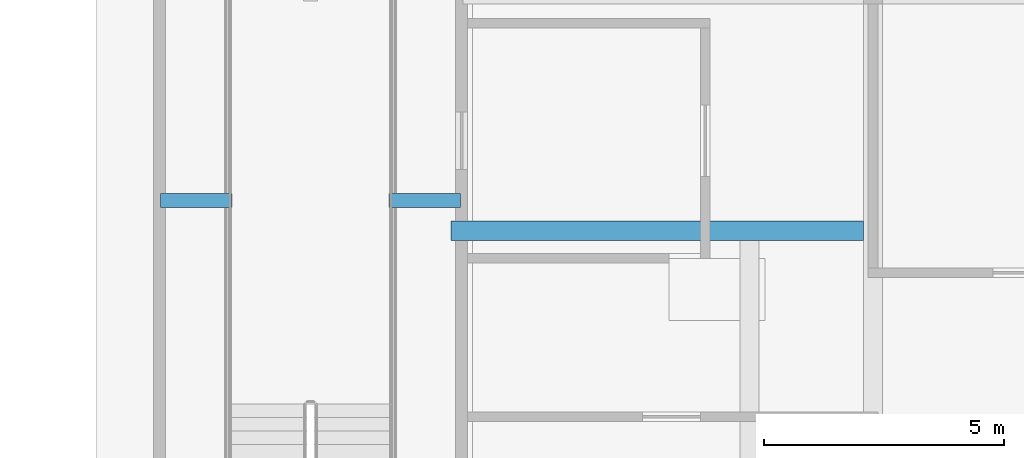
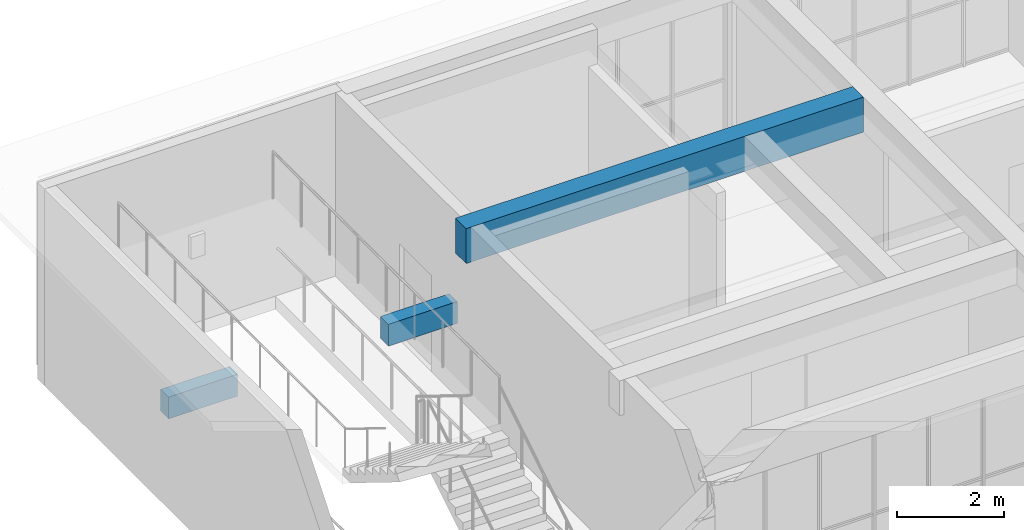
# One storey, part 9 of 92: 3 beams.
"""IFC4 building model written with IfcOpenShell, lengths in metres."""

from ifc_helpers import new_model, si_unit, direction, frame, origin, origin_2d, place, context, subcontext, project, spatial, rectangle, extrude, material, material_profile, profile_set, type_object, element, save


model = new_model("IFC4")

# Units and contexts
model_context = context("Model", 3, precision=1e-05, world=origin(), true_north=direction((0.0, 1.0)))
body_context = subcontext(model_context, "Body", "Model", "MODEL_VIEW")
ifc_project = project(units=[si_unit("LENGTHUNIT", "METRE"), si_unit("AREAUNIT", "SQUARE_METRE"), si_unit("VOLUMEUNIT", "CUBIC_METRE"), si_unit("PLANEANGLEUNIT", "RADIAN"), si_unit("MASSUNIT", "GRAM", prefix="KILO")], contexts=[model_context])

# Site, building, storey
site_placement = place(None, origin())
site = spatial("IfcSite", under=ifc_project, at=site_placement, CompositionType="ELEMENT")
building_placement = place(site_placement, origin())
building = spatial("IfcBuilding", under=site, at=building_placement, Name="Sun Court Science Centre", CompositionType="ELEMENT")
storey_placement = place(building_placement, frame((0.0, 0.0, 11.25)))
storey = spatial("IfcBuildingStorey", under=building, at=storey_placement, Name="L02", CompositionType="ELEMENT", Elevation=11.25)

# Beams
ifc_material_1 = material(Name="Concrete C25/30", Category="concrete")
ifc_material_profile_1 = material_profile(ifc_material_1, rectangle(XDim=0.39990234375, YDim=0.800048828125, at=origin_2d()), Name="RC 400x800")
ifc_profile_set_1 = profile_set([ifc_material_profile_1], Name="Concrete C25/30")
beam_type_1 = type_object("IfcBeamType", Name="RC girder 400x800", PredefinedType="BEAM", material=ifc_profile_set_1)
beam_1_placement = place(storey_placement, frame((42.199951171875, 44.875, 3.800048828125), z_axis=(1.0, 0.0, 0.0), x_axis=(0.0, 1.0, 0.0)))
element("IfcBeam", 1, at=beam_1_placement, inside=storey, type_object=beam_type_1, Name="Roof garden lobby beam north", PredefinedType="BEAM", context=body_context, shape_type="SweptSolid", body=[
    extrude(rectangle(XDim=0.39990234375, YDim=0.800048828125, at=origin_2d()), origin(), (0.0, 0.0, 1.0), 8.60009765625),
])
ifc_material_2 = material(Name="Concrete C25/30", Category="concrete")
ifc_material_profile_2 = material_profile(ifc_material_2, rectangle(XDim=0.300048828125, YDim=0.5, at=origin_2d()), Name="RC 300x500")
ifc_profile_set_2 = profile_set([ifc_material_profile_2], Name="Concrete C25/30")
beam_type_2 = type_object("IfcBeamType", Name="RC landing trimmer 300x500", PredefinedType="BEAM", material=ifc_profile_set_2)
beam_2_placement = place(storey_placement, frame((42.39990234375, 45.50390625, 1.800048828125), z_axis=(-1.0, 0.0, 0.0), x_axis=(0.0, -1.0, 0.0)))
element("IfcBeam", 2, at=beam_2_placement, inside=storey, type_object=beam_type_2, Name="SP1 landing 1 trimmer beam 7", PredefinedType="BEAM", context=body_context, shape_type="SweptSolid", body=[
    extrude(rectangle(XDim=0.300048828125, YDim=0.5, at=origin_2d()), origin(), (0.0, 0.0, 1.0), 1.491943359375),
])
beam_3_placement = place(storey_placement, frame((36.14990234375, 45.50390625, 1.800048828125), z_axis=(1.0, 0.0, 0.0), x_axis=(0.0, 1.0, 0.0)))
element("IfcBeam", 3, at=beam_3_placement, inside=storey, type_object=beam_type_2, Name="SP1 landing 1 trimmer beam 8", PredefinedType="BEAM", context=body_context, shape_type="SweptSolid", body=[
    extrude(rectangle(XDim=0.300048828125, YDim=0.5, at=origin_2d()), origin(), (0.0, 0.0, 1.0), 1.4921875),
])

save(model, "model.ifc")
